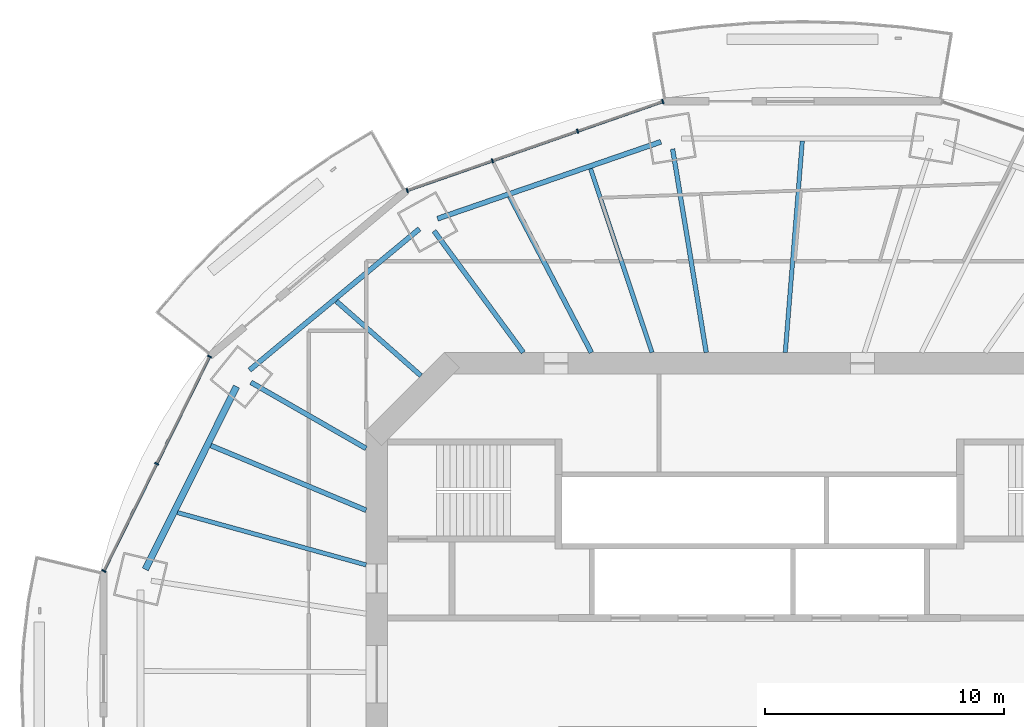
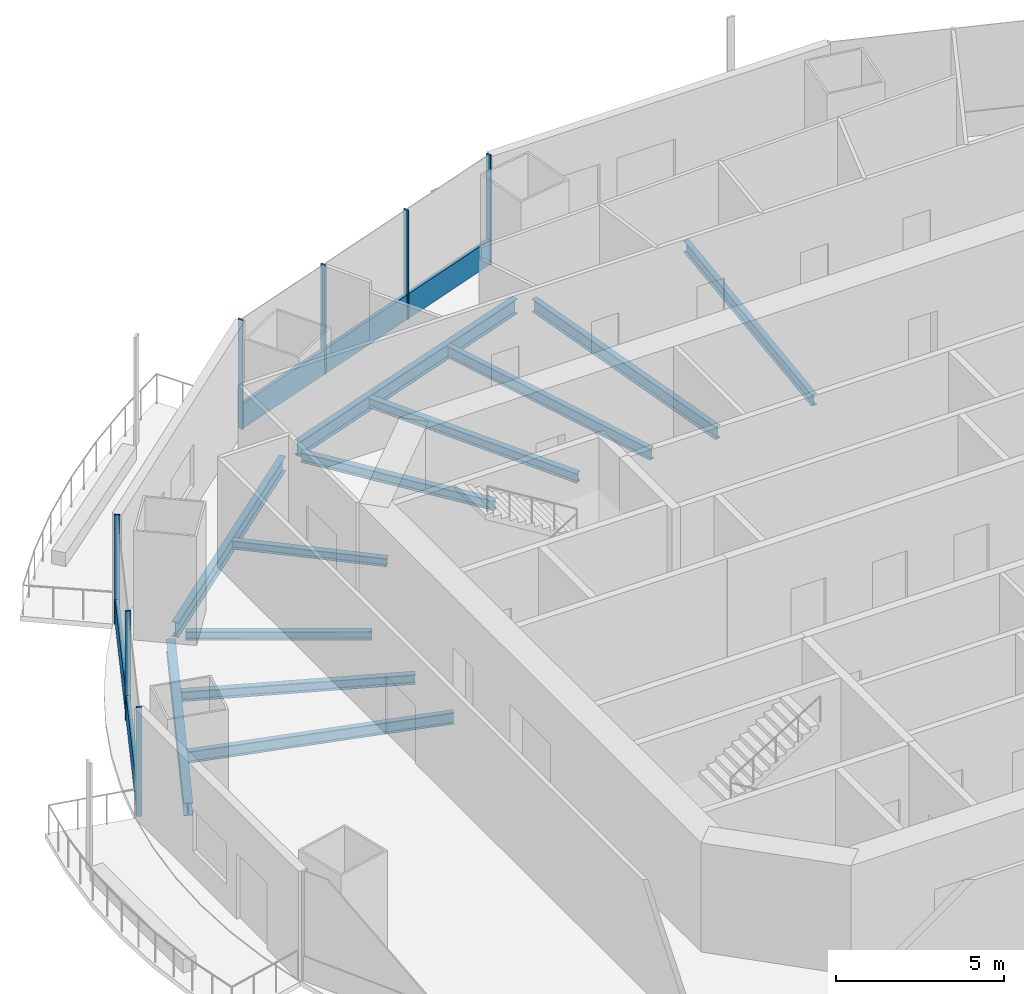
# One storey, part 6 of 19: 12 beams, 9 members, 2 elements without a shape of their own.
"""IFC4 building model written with IfcOpenShell, lengths in metres."""

import ifcopenshell
import ifcopenshell.guid

model = None  # the IFC model being written
_history = None  # IfcOwnerHistory: only IFC2X3 demands one
_inside = {}  # id of a spatial element -> (the spatial element, [elements in it])
_under = {}  # id of a project, library or spatial element -> (it, [spatial elements below it])
_declared = {}  # id of a project -> (the project, [libraries it declares])
_typed = {}  # id of a type object -> (the type object, [elements of that type])
_made_of = {}  # id of a material, layer set ... -> (it, [elements and type objects made of it])


def new_model(schema):
    """Start an empty IFC model of exactly this schema.

    Asked for "IFC4X3", IfcOpenShell would pick the latest addendum, in which some entities
    have other attributes; the version numbers below select the first issue.
    IFC2X3 requires an IfcOwnerHistory on every rooted entity: one is made here for all.
    """
    global model, _history
    if schema == "IFC4X3":
        model = ifcopenshell.file(schema_version=(4, 3, 0, 0))
    else:
        model = ifcopenshell.file(schema=schema)
    _inside.clear()
    _under.clear()
    _declared.clear()
    _typed.clear()
    _made_of.clear()
    _history = None
    if model.schema == "IFC2X3":
        org = make("IfcOrganization", Name="unknown")
        user = make(
            "IfcPersonAndOrganization",
            ThePerson=make("IfcPerson", FamilyName="unknown"),
            TheOrganization=org,
        )
        app = make(
            "IfcApplication",
            ApplicationDeveloper=org,
            Version="unknown",
            ApplicationFullName="unknown",
            ApplicationIdentifier="unknown",
        )
        _history = make(
            "IfcOwnerHistory",
            OwningUser=user,
            OwningApplication=app,
            ChangeAction="ADDED",
            CreationDate=0,
        )
    return model


def make(cls, **values):
    """One entity of the class cls with the attributes given. An attribute that is None is left unset."""
    return model.create_entity(
        cls, **{name: value for name, value in values.items() if value is not None}
    )


def rooted(cls, **values):
    """An entity with a GlobalId (a new one), such as an element, a storey or a relation."""
    return make(cls, GlobalId=ifcopenshell.guid.new(), OwnerHistory=_history, **values)


def si_unit(unit_type, name, prefix=None):
    """IfcSIUnit, for example si_unit("LENGTHUNIT", "METRE", prefix="MILLI")."""
    return make("IfcSIUnit", UnitType=unit_type, Prefix=prefix, Name=name)


def assignment(units):
    """IfcUnitAssignment: the units of a project."""
    return None if units is None else make("IfcUnitAssignment", Units=units)


def point(xyz):
    """IfcCartesianPoint."""
    return None if xyz is None else make("IfcCartesianPoint", Coordinates=xyz)


def direction(xyz):
    """IfcDirection."""
    return None if xyz is None else make("IfcDirection", DirectionRatios=xyz)


def frame(location, z_axis=None, x_axis=None):
    """IfcAxis2Placement3D, a coordinate frame: its origin and axes. An axis left out is left unset."""
    return make(
        "IfcAxis2Placement3D",
        Location=point(location),
        Axis=direction(z_axis),
        RefDirection=direction(x_axis),
    )


def frame_2d(location, x_axis=None):
    """IfcAxis2Placement2D, a coordinate frame in the plane: its origin and x axis."""
    return make(
        "IfcAxis2Placement2D", Location=point(location), RefDirection=direction(x_axis)
    )


def origin():
    """The frame at (0, 0, 0) with its axes left unset."""
    return frame((0.0, 0.0, 0.0))


def origin_2d():
    """The frame at (0, 0) in the plane with its x axis left unset."""
    return frame_2d((0.0, 0.0))


def place(relative_to, where):
    """IfcLocalPlacement: puts the frame where relative to a parent placement (None: the world)."""
    return make(
        "IfcLocalPlacement", PlacementRelTo=relative_to, RelativePlacement=where
    )


def context(
    kind, dimensions, precision=None, world=None, true_north=None, identifier=None
):
    """IfcGeometricRepresentationContext, for example the 3D "Model" context."""
    return make(
        "IfcGeometricRepresentationContext",
        ContextIdentifier=identifier,
        ContextType=kind,
        CoordinateSpaceDimension=dimensions,
        Precision=precision,
        WorldCoordinateSystem=world,
        TrueNorth=true_north,
    )


def subcontext(parent, identifier, kind, view, scale=None):
    """IfcGeometricRepresentationSubContext, for example "Body" below "Model"."""
    return make(
        "IfcGeometricRepresentationSubContext",
        ContextIdentifier=identifier,
        ContextType=kind,
        ParentContext=parent,
        TargetScale=scale,
        TargetView=view,
    )


def project(units=None, contexts=None):
    """IfcProject with its units and contexts."""
    return rooted(
        "IfcProject",
        Name="project",
        RepresentationContexts=contexts,
        UnitsInContext=assignment(units),
    )


def spatial(cls, under=None, at=None, **own):
    """A site, building, storey or space (cls), placed at a placement, below another one or the project."""
    s = rooted(cls, ObjectPlacement=at, **own)
    if under is not None:
        _under.setdefault(under.id(), (under, []))[1].append(s)
    return s


def profile(cls, at=None, kind="AREA", **sizes):
    """A parametric profile (cls). Its sizes go by their IFC names, for example OverallWidth=200.0."""
    return make(cls, ProfileType=kind, Position=at, **sizes)


def rectangle(**sizes):
    """IfcRectangleProfileDef."""
    return profile("IfcRectangleProfileDef", **sizes)


def i_section(**sizes):
    """IfcIShapeProfileDef."""
    return profile("IfcIShapeProfileDef", **sizes)


def extrude(swept, where, along, depth):
    """IfcExtrudedAreaSolid: the profile swept, set in the frame where, extruded along a direction by depth."""
    return make(
        "IfcExtrudedAreaSolid",
        SweptArea=swept,
        Position=where,
        ExtrudedDirection=direction(along),
        Depth=depth,
    )


def shape(context_of_items, identifier, shape_type, items):
    """IfcShapeRepresentation: the items that make up one representation, for example the "Body"."""
    return make(
        "IfcShapeRepresentation",
        ContextOfItems=context_of_items,
        RepresentationIdentifier=identifier,
        RepresentationType=shape_type,
        Items=items,
    )


def material(Name=None, Category=None):
    """IfcMaterial."""
    return make("IfcMaterial", Name=Name, Category=Category)


def material_profile(
    of_material, cross_section, Name=None, Category=None, Priority=None
):
    """IfcMaterialProfile: a cross section and its material."""
    return make(
        "IfcMaterialProfile",
        Name=Name,
        Material=of_material,
        Profile=cross_section,
        Priority=Priority,
        Category=Category,
    )


def profile_set(profiles, Name=None, composite=None):
    """IfcMaterialProfileSet."""
    return make(
        "IfcMaterialProfileSet",
        Name=Name,
        MaterialProfiles=profiles,
        CompositeProfile=composite,
    )


def made_of(thing, what):
    """Note that an element or type object is made of a material, layer set ...; save() writes the relation."""
    if what is not None:
        _made_of.setdefault(what.id(), (what, []))[1].append(thing)
    return thing


def type_object(cls, material=None, **own):
    """A type object (cls), such as IfcWallType, which elements share."""
    return made_of(rooted(cls, **own), material)


def element(
    cls,
    number,
    at=None,
    inside=None,
    cuts=None,
    type_object=None,
    material=None,
    context=None,
    identifier="Body",
    shape_type=None,
    held_by="IfcProductDefinitionShape",
    body=None,
    shapes=None,
    **own,
):
    """One element of the class cls, such as IfcWall. Its Tag is "e" and its number.

    at: its placement. inside: the storey or other place that contains it. cuts: it is an
    opening in that element (IfcRelVoidsElement). A single representation is given by context,
    identifier, shape_type and body (its items); several are given by shapes. held_by: the class
    of the entity that holds the representations. save() writes the other relations.
    """
    e = rooted(cls, Tag="e%d" % number, ObjectPlacement=at, **own)
    if body is not None:
        shapes = [shape(context, identifier, shape_type, body)]
    if shapes is not None:
        e.Representation = make(held_by, Representations=shapes)
    if inside is not None:
        _inside.setdefault(inside.id(), (inside, []))[1].append(e)
    if cuts is not None:
        rooted(
            "IfcRelVoidsElement", RelatingBuildingElement=cuts, RelatedOpeningElement=e
        )
    if type_object is not None:
        _typed.setdefault(type_object.id(), (type_object, []))[1].append(e)
    return made_of(e, material)


def aggregate(whole, parts):
    """IfcRelAggregates: a whole, such as a stair, and the parts it consists of."""
    return rooted("IfcRelAggregates", RelatingObject=whole, RelatedObjects=parts)


def save(model, path):
    """Write the relations noted so far, then the file.

    IfcRelAggregates (storeys below a building ...), IfcRelContainedInSpatialStructure (elements
    in a storey), IfcRelDefinesByType, IfcRelAssociatesMaterial and IfcRelDeclares: one each for
    every whole, place, type object, material and project.
    """
    for whole, parts in _under.values():
        aggregate(whole, parts)
    for where, things in _inside.values():
        rooted(
            "IfcRelContainedInSpatialStructure",
            RelatedElements=things,
            RelatingStructure=where,
        )
    for kind, things in _typed.values():
        rooted("IfcRelDefinesByType", RelatedObjects=things, RelatingType=kind)
    for what, things in _made_of.values():
        rooted("IfcRelAssociatesMaterial", RelatedObjects=things, RelatingMaterial=what)
    for by, libraries in _declared.values():
        rooted("IfcRelDeclares", RelatingContext=by, RelatedDefinitions=libraries)
    model.write(path)


model = new_model("IFC4")

# Units and contexts
model_context = context("Model", 3, precision=1e-05, world=origin(), true_north=direction((0.0, 1.0)))
body_context = subcontext(model_context, "Body", "Model", "MODEL_VIEW")
ifc_project = project(units=[si_unit("LENGTHUNIT", "METRE"), si_unit("AREAUNIT", "SQUARE_METRE"), si_unit("VOLUMEUNIT", "CUBIC_METRE"), si_unit("PLANEANGLEUNIT", "RADIAN"), si_unit("MASSUNIT", "GRAM", prefix="KILO")], contexts=[model_context])

# Site, building, storey
site_placement = place(None, origin())
site = spatial("IfcSite", under=ifc_project, at=site_placement, CompositionType="ELEMENT")
building_placement = place(site_placement, origin())
building = spatial("IfcBuilding", under=site, at=building_placement, Name="Marenthal Gate Tower", CompositionType="ELEMENT")
storey_placement = place(building_placement, frame((0.0, 0.0, 252.35009765625)))
storey = spatial("IfcBuildingStorey", under=building, at=storey_placement, Name="L56", CompositionType="ELEMENT", Elevation=252.35009765625)

# Curtain wall, members
ifc_material_1 = material(Name="Aluminium and glass", Category="aluminium")
curtain_wall_type = type_object("IfcCurtainWallType", Name="Curtain wall typical mid", PredefinedType="NOTDEFINED", material=ifc_material_1)
curtain_wall_1_placement = place(storey_placement, origin())
curtain_wall_1 = element("IfcCurtainWall", 1, at=curtain_wall_1_placement, inside=storey, type_object=curtain_wall_type, Name="Curtain wall L56 bay 5", PredefinedType="NOTDEFINED")
ifc_material_2 = material(Name="Aluminium", Category="aluminium")
ifc_material_profile_1 = material_profile(ifc_material_2, rectangle(XDim=0.179931640625, YDim=0.06005859375, at=origin_2d()), Name="60x180 aluminium mullion")
ifc_profile_set_1 = profile_set([ifc_material_profile_1], Name="Aluminium")
member_type_1 = type_object("IfcMemberType", Name="Mullion 60x180 typical mid", PredefinedType="MULLION", material=ifc_profile_set_1)
member_1_placement = place(storey_placement, frame((-4.042724609375, 23.943115234375, 0.0), z_axis=(0.0, 0.0, 1.0), x_axis=(0.328612003593, -0.944465007872, 0.0)))
member_1 = element("IfcMember", 2, at=member_1_placement, type_object=member_type_1, Name="Mullion L56 bay 5.1", PredefinedType="MULLION", context=body_context, shape_type="SweptSolid", body=[
    extrude(rectangle(XDim=0.179931640625, YDim=0.06005859375, at=origin_2d()), origin(), (0.0, 0.0, 1.0), 3.969970703125),
])
member_2_placement = place(storey_placement, frame((-7.60498046875, 22.70361328125, 0.0), z_axis=(0.0, 0.0, 1.0), x_axis=(0.328612003593, -0.944465007872, 0.0)))
member_2 = element("IfcMember", 3, at=member_2_placement, type_object=member_type_1, Name="Mullion L56 bay 5.2", PredefinedType="MULLION", context=body_context, shape_type="SweptSolid", body=[
    extrude(rectangle(XDim=0.179931640625, YDim=0.06005859375, at=origin_2d()), origin(), (0.0, 0.0, 1.0), 3.969970703125),
])
member_3_placement = place(storey_placement, frame((-11.1669921875, 21.46435546875, 0.0), z_axis=(0.0, 0.0, 1.0), x_axis=(0.328612003593, -0.944465007872, 0.0)))
member_3 = element("IfcMember", 4, at=member_3_placement, type_object=member_type_1, Name="Mullion L56 bay 5.3", PredefinedType="MULLION", context=body_context, shape_type="SweptSolid", body=[
    extrude(rectangle(XDim=0.179931640625, YDim=0.06005859375, at=origin_2d()), origin(), (0.0, 0.0, 1.0), 3.969970703125),
])
member_4_placement = place(storey_placement, frame((-14.729248046875, 20.224853515625, 0.0), z_axis=(0.0, 0.0, 1.0), x_axis=(0.328612003593, -0.944465007872, 0.0)))
member_4 = element("IfcMember", 5, at=member_4_placement, type_object=member_type_1, Name="Mullion L56 bay 5.4", PredefinedType="MULLION", context=body_context, shape_type="SweptSolid", body=[
    extrude(rectangle(XDim=0.179931640625, YDim=0.06005859375, at=origin_2d()), origin(), (0.0, 0.0, 1.0), 3.969970703125),
])

curtain_wall_2_placement = place(storey_placement, origin())
curtain_wall_2 = element("IfcCurtainWall", 6, at=curtain_wall_2_placement, inside=storey, type_object=curtain_wall_type, Name="Curtain wall L56 bay 7", PredefinedType="NOTDEFINED")
member_5_placement = place(storey_placement, frame((-22.99365234375, 13.28125, 0.0), z_axis=(0.0, 0.0, 1.0), x_axis=(0.896882319585, -0.44226926732, 0.0)))
member_5 = element("IfcMember", 7, at=member_5_placement, type_object=member_type_1, Name="Mullion L56 bay 7.1", PredefinedType="MULLION", context=body_context, shape_type="SweptSolid", body=[
    extrude(rectangle(XDim=0.179931640625, YDim=0.06005859375, at=origin_2d()), origin(), (0.0, 0.0, 1.0), 3.969970703125),
])
member_6_placement = place(storey_placement, frame((-25.205322265625, 8.7958984375, 0.0), z_axis=(0.0, 0.0, 1.0), x_axis=(0.896882319585, -0.44226926732, 0.0)))
member_6 = element("IfcMember", 8, at=member_6_placement, type_object=member_type_1, Name="Mullion L56 bay 7.2", PredefinedType="MULLION", context=body_context, shape_type="SweptSolid", body=[
    extrude(rectangle(XDim=0.179931640625, YDim=0.06005859375, at=origin_2d()), origin(), (0.0, 0.0, 1.0), 3.969970703125),
])
member_7_placement = place(storey_placement, frame((-27.4169921875, 4.310791015625, 0.0), z_axis=(0.0, 0.0, 1.0), x_axis=(0.896882319585, -0.44226926732, 0.0)))
member_7 = element("IfcMember", 9, at=member_7_placement, type_object=member_type_1, Name="Mullion L56 bay 7.3", PredefinedType="MULLION", context=body_context, shape_type="SweptSolid", body=[
    extrude(rectangle(XDim=0.179931640625, YDim=0.06005859375, at=origin_2d()), origin(), (0.0, 0.0, 1.0), 3.969970703125),
])

# Member
ifc_material_3 = material(Name="Aluminium", Category="aluminium")
ifc_material_profile_2 = material_profile(ifc_material_3, rectangle(XDim=0.1201171875, YDim=0.89990234375, at=origin_2d()), Name="120x900 aluminium transom")
ifc_profile_set_2 = profile_set([ifc_material_profile_2], Name="Aluminium")
member_type_2 = type_object("IfcMemberType", Name="Transom 120x900 typical mid", PredefinedType="USERDEFINED", material=ifc_profile_set_2)
member_8_placement = place(storey_placement, frame((-4.071044921875, 23.933349609375, 0.449951171875), z_axis=(-0.944458747509, -0.328629995975, 0.0), x_axis=(0.328629995975, -0.944458747509, 0.0)))
member_8 = element("IfcMember", 10, at=member_8_placement, type_object=member_type_2, Name="Transom L56 bay 5", ObjectType="TRANSOM", PredefinedType="USERDEFINED", context=body_context, shape_type="SweptSolid", body=[
    extrude(rectangle(XDim=0.1201171875, YDim=0.89990234375, at=origin_2d()), origin(), (0.0, 0.0, 1.0), 11.2548828125),
])

aggregate(curtain_wall_1, [member_1, member_2, member_3, member_4, member_8])

member_9_placement = place(storey_placement, frame((-23.0068359375, 13.25439453125, 0.449951171875), z_axis=(-0.44226596641, -0.896883947317, 0.0), x_axis=(0.896883947317, -0.44226596641, 0.0)))
member_9 = element("IfcMember", 11, at=member_9_placement, type_object=member_type_2, Name="Transom L56 bay 7", ObjectType="TRANSOM", PredefinedType="USERDEFINED", context=body_context, shape_type="SweptSolid", body=[
    extrude(rectangle(XDim=0.1201171875, YDim=0.89990234375, at=origin_2d()), origin(), (0.0, 0.0, 1.0), 9.94189453125),
])

aggregate(curtain_wall_2, [member_5, member_6, member_7, member_9])

# Beams
ifc_material_4 = material(Name="Steel S355", Category="steel")
ifc_material_profile_3 = material_profile(ifc_material_4, i_section(OverallWidth=0.202880859375, OverallDepth=0.302001953125, WebThickness=0.007568359375, FlangeThickness=0.01318359375, FilletRadius=0.0126953125, at=origin_2d()), Name="W310X60")
ifc_profile_set_3 = profile_set([ifc_material_profile_3], Name="Steel S355")
beam_type_1 = type_object("IfcBeamType", Name="W310X60 beam", PredefinedType="BEAM", material=ifc_profile_set_3)
beam_1_placement = place(storey_placement, frame((-17.692626953125, 15.5947265625, -0.3310546875), z_axis=(0.750161328075, -0.661254853941, 0.0), x_axis=(0.661254853941, 0.750161328075, 0.0)))
element("IfcBeam", 12, at=beam_1_placement, inside=storey, type_object=beam_type_1, Name="BM-L56-25", PredefinedType="BEAM", context=body_context, shape_type="SweptSolid", body=[
    extrude(i_section(OverallWidth=0.202880859375, OverallDepth=0.302001953125, WebThickness=0.007568359375, FlangeThickness=0.01318359375, FilletRadius=0.0126953125, at=origin_2d()), origin(), (0.0, 0.0, 1.0), 4.712158203125),
])
ifc_material_5 = material(Name="Steel S355", Category="steel")
ifc_material_profile_4 = material_profile(ifc_material_5, i_section(OverallWidth=0.205078125, OverallDepth=0.31005859375, WebThickness=0.009521484375, FlangeThickness=0.016357421875, FilletRadius=0.0126953125, at=origin_2d()), Name="W310X74")
ifc_profile_set_4 = profile_set([ifc_material_profile_4], Name="Steel S355")
beam_type_2 = type_object("IfcBeamType", Name="W310X74 beam", PredefinedType="BEAM", material=ifc_profile_set_4)
beam_2_placement = place(storey_placement, frame((-21.26611328125, 12.200439453125, -0.335205078125), z_axis=(0.86740037099, -0.497610888553, 0.0), x_axis=(0.497610888553, 0.86740037099, 0.0)))
element("IfcBeam", 13, at=beam_2_placement, inside=storey, type_object=beam_type_2, Name="BM-L56-07", PredefinedType="BEAM", context=body_context, shape_type="SweptSolid", body=[
    extrude(i_section(OverallWidth=0.205078125, OverallDepth=0.31005859375, WebThickness=0.009521484375, FlangeThickness=0.016357421875, FilletRadius=0.0126953125, at=origin_2d()), origin(), (0.0, 0.0, 1.0), 5.552490234375),
])
ifc_material_6 = material(Name="Steel S355", Category="steel")
ifc_material_profile_5 = material_profile(ifc_material_6, i_section(OverallWidth=0.205078125, OverallDepth=0.35302734375, WebThickness=0.009521484375, FlangeThickness=0.016845703125, FilletRadius=0.014892578125, at=origin_2d()), Name="W360X79")
ifc_profile_set_5 = profile_set([ifc_material_profile_5], Name="Steel S355")
beam_type_3 = type_object("IfcBeamType", Name="W360X79 beam", PredefinedType="BEAM", material=ifc_profile_set_5)
beam_3_placement = place(storey_placement, frame((-13.60888671875, 18.532470703125, -0.356689453125), z_axis=(0.591878847572, -0.806026941111, 0.0), x_axis=(0.806026941111, 0.591878847572, 0.0)))
element("IfcBeam", 14, at=beam_3_placement, inside=storey, type_object=beam_type_3, Name="BM-L56-06", PredefinedType="BEAM", context=body_context, shape_type="SweptSolid", body=[
    extrude(i_section(OverallWidth=0.205078125, OverallDepth=0.35302734375, WebThickness=0.009521484375, FlangeThickness=0.016845703125, FilletRadius=0.014892578125, at=origin_2d()), origin(), (0.0, 0.0, 1.0), 6.3056640625),
])
beam_4_placement = place(storey_placement, frame((-10.43896484375, 19.9736328125, -0.356689453125), z_axis=(0.463181387721, -0.886263506001, 0.0), x_axis=(0.886263506001, 0.463181387721, 0.0)))
element("IfcBeam", 15, at=beam_4_placement, inside=storey, type_object=beam_type_3, Name="BM-L56-24", PredefinedType="BEAM", context=body_context, shape_type="SweptSolid", body=[
    extrude(i_section(OverallWidth=0.205078125, OverallDepth=0.35302734375, WebThickness=0.009521484375, FlangeThickness=0.016845703125, FilletRadius=0.014892578125, at=origin_2d()), origin(), (0.0, 0.0, 1.0), 7.36083984375),
])
beam_5_placement = place(storey_placement, frame((-22.9423828125, 9.558349609375, -0.356689453125), z_axis=(0.923094380789, -0.384573483427, 0.0), x_axis=(0.384573483427, 0.923094380789, 0.0)))
element("IfcBeam", 16, at=beam_5_placement, inside=storey, type_object=beam_type_3, Name="BM-L56-26", PredefinedType="BEAM", context=body_context, shape_type="SweptSolid", body=[
    extrude(i_section(OverallWidth=0.205078125, OverallDepth=0.35302734375, WebThickness=0.009521484375, FlangeThickness=0.016845703125, FilletRadius=0.014892578125, at=origin_2d()), origin(), (0.0, 0.0, 1.0), 7.033447265625),
])
ifc_material_7 = material(Name="Steel S355", Category="steel")
ifc_material_profile_6 = material_profile(ifc_material_7, i_section(OverallWidth=0.180908203125, OverallDepth=0.4169921875, WebThickness=0.010986328125, FlangeThickness=0.018310546875, FilletRadius=0.01025390625, at=origin_2d()), Name="W410X85")
ifc_profile_set_6 = profile_set([ifc_material_profile_6], Name="Steel S355")
beam_type_4 = type_object("IfcBeamType", Name="W410X85 beam", PredefinedType="BEAM", material=ifc_profile_set_6)
beam_6_placement = place(storey_placement, frame((1.79150390625, 22.29736328125, -0.388671875), z_axis=(-0.080097240618, -0.996787054513, 0.0), x_axis=(0.996787054513, -0.080097240618, 0.0)))
element("IfcBeam", 17, at=beam_6_placement, inside=storey, type_object=beam_type_4, Name="BM-L56-22", PredefinedType="BEAM", context=body_context, shape_type="SweptSolid", body=[
    extrude(i_section(OverallWidth=0.180908203125, OverallDepth=0.4169921875, WebThickness=0.010986328125, FlangeThickness=0.018310546875, FilletRadius=0.01025390625, at=origin_2d()), origin(), (0.0, 0.0, 1.0), 8.8759765625),
])
beam_7_placement = place(storey_placement, frame((-7.063720703125, 21.135498046875, -0.388671875), z_axis=(0.316977857113, -0.948432938114, 0.0), x_axis=(0.948432938114, 0.316977857113, 0.0)))
element("IfcBeam", 18, at=beam_7_placement, inside=storey, type_object=beam_type_4, Name="BM-L56-23", PredefinedType="BEAM", context=body_context, shape_type="SweptSolid", body=[
    extrude(i_section(OverallWidth=0.180908203125, OverallDepth=0.4169921875, WebThickness=0.010986328125, FlangeThickness=0.018310546875, FilletRadius=0.01025390625, at=origin_2d()), origin(), (0.0, 0.0, 1.0), 8.103515625),
])
beam_8_placement = place(storey_placement, frame((-24.339111328125, 6.755859375, -0.388671875), z_axis=(0.963564887166, -0.267474687067, 0.0), x_axis=(0.267474687067, 0.963564887166, 0.0)))
element("IfcBeam", 19, at=beam_8_placement, inside=storey, type_object=beam_type_4, Name="BM-L56-27", PredefinedType="BEAM", context=body_context, shape_type="SweptSolid", body=[
    extrude(i_section(OverallWidth=0.180908203125, OverallDepth=0.4169921875, WebThickness=0.010986328125, FlangeThickness=0.018310546875, FilletRadius=0.01025390625, at=origin_2d()), origin(), (0.0, 0.0, 1.0), 8.1875),
])
ifc_material_8 = material(Name="Steel S355", Category="steel")
ifc_material_profile_7 = material_profile(ifc_material_8, i_section(OverallWidth=0.279052734375, OverallDepth=0.4619140625, WebThickness=0.0107421875, FlangeThickness=0.017333984375, FilletRadius=0.010009765625, at=origin_2d()), Name="W460X113")
ifc_profile_set_7 = profile_set([ifc_material_profile_7], Name="Steel S355")
beam_type_5 = type_object("IfcBeamType", Name="W460X113 beam", PredefinedType="BEAM", material=ifc_profile_set_7)
beam_9_placement = place(storey_placement, frame((-21.865966796875, 12.030517578125, -0.4111328125), z_axis=(-0.446082541832, -0.894991824472, 0.0), x_axis=(0.894991824472, -0.446082541832, 0.0)))
element("IfcBeam", 20, at=beam_9_placement, inside=storey, type_object=beam_type_5, Name="BM-L56-47", PredefinedType="BEAM", context=body_context, shape_type="SweptSolid", body=[
    extrude(i_section(OverallWidth=0.279052734375, OverallDepth=0.4619140625, WebThickness=0.0107421875, FlangeThickness=0.017333984375, FilletRadius=0.010009765625, at=origin_2d()), origin(), (0.0, 0.0, 1.0), 8.550537109375),
])
ifc_material_9 = material(Name="Steel S355", Category="steel")
ifc_material_profile_8 = material_profile(ifc_material_9, i_section(OverallWidth=0.193115234375, OverallDepth=0.467041015625, WebThickness=0.011474609375, FlangeThickness=0.01904296875, FilletRadius=0.010009765625, at=origin_2d()), Name="W460X97")
ifc_profile_set_8 = profile_set([ifc_material_profile_8], Name="Steel S355")
beam_type_6 = type_object("IfcBeamType", Name="W460X97 beam", PredefinedType="BEAM", material=ifc_profile_set_8)
beam_10_placement = place(storey_placement, frame((-3.632568359375, 21.959228515625, -0.41357421875), z_axis=(0.163214591052, -0.98659059253, 0.0), x_axis=(0.98659059253, 0.163214591052, 0.0)))
element("IfcBeam", 21, at=beam_10_placement, inside=storey, type_object=beam_type_6, Name="BM-L56-05", PredefinedType="BEAM", context=body_context, shape_type="SweptSolid", body=[
    extrude(i_section(OverallWidth=0.193115234375, OverallDepth=0.467041015625, WebThickness=0.011474609375, FlangeThickness=0.01904296875, FilletRadius=0.010009765625, at=origin_2d()), origin(), (0.0, 0.0, 1.0), 8.625),
])
ifc_material_10 = material(Name="Steel S355", Category="steel")
ifc_material_profile_9 = material_profile(ifc_material_10, i_section(OverallWidth=0.2119140625, OverallDepth=0.5439453125, WebThickness=0.01318359375, FlangeThickness=0.021240234375, FilletRadius=0.0126953125, at=origin_2d()), Name="W530X123")
ifc_profile_set_9 = profile_set([ifc_material_profile_9], Name="Steel S355")
beam_type_7 = type_object("IfcBeamType", Name="W530X123 beam", PredefinedType="BEAM", material=ifc_profile_set_9)
beam_11_placement = place(storey_placement, frame((-4.120361328125, 22.2607421875, -0.4521484375), z_axis=(-0.945544815575, -0.325491938056, 0.0), x_axis=(0.325491938056, -0.945544815575, 0.0)))
element("IfcBeam", 22, at=beam_11_placement, inside=storey, type_object=beam_type_7, Name="BM-L56-45", PredefinedType="BEAM", context=body_context, shape_type="SweptSolid", body=[
    extrude(i_section(OverallWidth=0.2119140625, OverallDepth=0.5439453125, WebThickness=0.01318359375, FlangeThickness=0.021240234375, FilletRadius=0.0126953125, at=origin_2d()), origin(), (0.0, 0.0, 1.0), 9.882080078125),
])
beam_12_placement = place(storey_placement, frame((-14.21923828125, 18.619140625, -0.4521484375), z_axis=(-0.769104243953, -0.639123354239, 0.0), x_axis=(0.639123354239, -0.769104243953, 0.0)))
element("IfcBeam", 23, at=beam_12_placement, inside=storey, type_object=beam_type_7, Name="BM-L56-46", PredefinedType="BEAM", context=body_context, shape_type="SweptSolid", body=[
    extrude(i_section(OverallWidth=0.2119140625, OverallDepth=0.5439453125, WebThickness=0.01318359375, FlangeThickness=0.021240234375, FilletRadius=0.0126953125, at=origin_2d()), origin(), (0.0, 0.0, 1.0), 9.2392578125),
])

save(model, "model.ifc")
